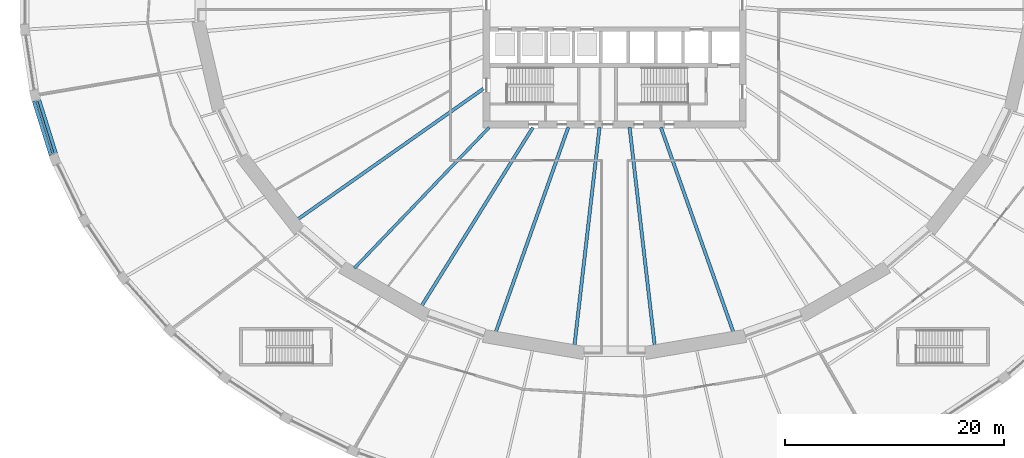
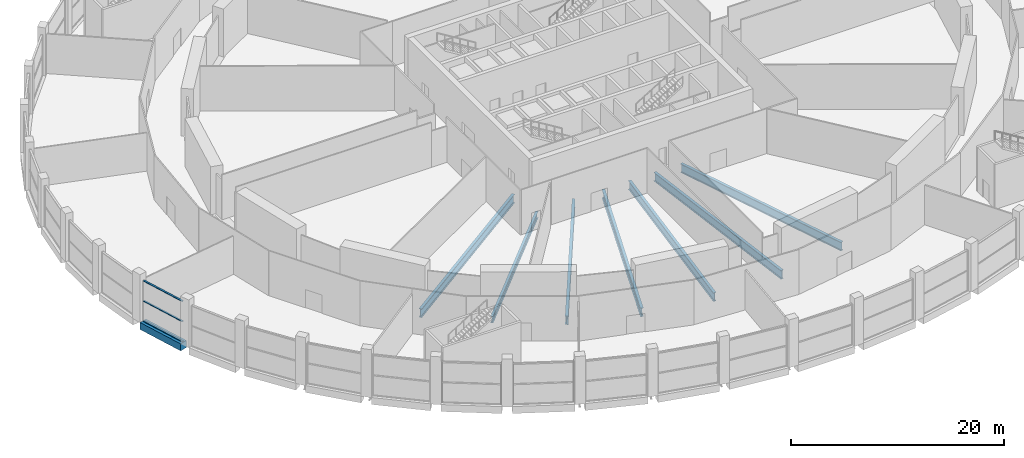
# One storey, part 4 of 29: 8 beams, 3 members, 1 element without a shape of its own.
"""IFC4 building model written with IfcOpenShell, lengths in metres."""

from ifc_helpers import new_model, si_unit, direction, frame, origin, origin_2d, place, context, subcontext, project, spatial, rectangle, i_section, extrude, material, material_profile, profile_set, type_object, element, aggregate, save


model = new_model("IFC4")

# Units and contexts
model_context = context("Model", 3, precision=1e-05, world=origin(), true_north=direction((0.0, 1.0)))
body_context = subcontext(model_context, "Body", "Model", "MODEL_VIEW")
ifc_project = project(units=[si_unit("LENGTHUNIT", "METRE"), si_unit("AREAUNIT", "SQUARE_METRE"), si_unit("VOLUMEUNIT", "CUBIC_METRE"), si_unit("PLANEANGLEUNIT", "RADIAN"), si_unit("MASSUNIT", "GRAM", prefix="KILO")], contexts=[model_context])

# Site, building, storey
site_placement = place(None, origin())
site = spatial("IfcSite", under=ifc_project, at=site_placement, CompositionType="ELEMENT")
building_placement = place(site_placement, origin())
building = spatial("IfcBuilding", under=site, at=building_placement, Name="Halqa Exchange Tower", CompositionType="ELEMENT")
storey_placement = place(building_placement, frame((0.0, 0.0, 7.0)))
storey = spatial("IfcBuildingStorey", under=building, at=storey_placement, Name="L01", CompositionType="ELEMENT", Elevation=7.0)

# Curtain wall, members
ifc_material_1 = material(Name="Anodised aluminium and clear glass", Category="aluminium")
curtain_wall_type = type_object("IfcCurtainWallType", Name="Exchange hall glazing", PredefinedType="NOTDEFINED", material=ifc_material_1)
curtain_wall_placement = place(storey_placement, origin())
curtain_wall = element("IfcCurtainWall", 1, at=curtain_wall_placement, inside=storey, type_object=curtain_wall_type, Name="Exchange hall glazing run P26", PredefinedType="NOTDEFINED")
ifc_material_2 = material(Name="Anodised aluminium", Category="aluminium")
ifc_material_profile_1 = material_profile(ifc_material_2, rectangle(XDim=0.199951171875, YDim=0.070068359375, at=origin_2d()), Name="AL 70x200")
ifc_profile_set_1 = profile_set([ifc_material_profile_1], Name="Anodised aluminium")
member_type = type_object("IfcMemberType", Name="Exchange hall glazing transom 70 x 200", PredefinedType="USERDEFINED", material=ifc_profile_set_1)
member_1_placement = place(storey_placement, frame((-52.79248046875, -9.57666015625, 0.034912109375), z_axis=(0.298305642444, -0.954470399586, 0.0), x_axis=(0.954470399586, 0.298305642444, 0.0)))
member_1 = element("IfcMember", 2, at=member_1_placement, type_object=member_type, Name="P26 transom 1.1", ObjectType="TRANSOM", PredefinedType="USERDEFINED", context=body_context, shape_type="SweptSolid", body=[
    extrude(rectangle(XDim=0.199951171875, YDim=0.070068359375, at=origin_2d()), origin(), (0.0, 0.0, 1.0), 4.989013671875),
])
member_2_placement = place(storey_placement, frame((-52.79248046875, -9.57666015625, 2.35009765625), z_axis=(0.298305642444, -0.954470399586, 0.0), x_axis=(0.954470399586, 0.298305642444, 0.0)))
member_2 = element("IfcMember", 3, at=member_2_placement, type_object=member_type, Name="P26 transom 1.2", ObjectType="TRANSOM", PredefinedType="USERDEFINED", context=body_context, shape_type="SweptSolid", body=[
    extrude(rectangle(XDim=0.199951171875, YDim=0.070068359375, at=origin_2d()), origin(), (0.0, 0.0, 1.0), 4.989013671875),
])
member_3_placement = place(storey_placement, frame((-52.79248046875, -9.57666015625, 4.6650390625), z_axis=(0.298305642444, -0.954470399586, 0.0), x_axis=(0.954470399586, 0.298305642444, 0.0)))
member_3 = element("IfcMember", 4, at=member_3_placement, type_object=member_type, Name="P26 transom 1.3", ObjectType="TRANSOM", PredefinedType="USERDEFINED", context=body_context, shape_type="SweptSolid", body=[
    extrude(rectangle(XDim=0.199951171875, YDim=0.070068359375, at=origin_2d()), origin(), (0.0, 0.0, 1.0), 4.989013671875),
])
aggregate(curtain_wall, [member_1, member_2, member_3])

# Beams
ifc_material_3 = material(Name="Steel S355", Category="steel")
ifc_material_profile_2 = material_profile(ifc_material_3, i_section(OverallWidth=0.300048828125, OverallDepth=0.989990234375, WebThickness=0.0166015625, FlangeThickness=0.031005859375, FilletRadius=0.030029296875, at=origin_2d()), Name="HEA 1000")
ifc_profile_set_2 = profile_set([ifc_material_profile_2], Name="Steel S355")
beam_type_1 = type_object("IfcBeamType", Name="Floor beam HEA 1000", PredefinedType="BEAM", material=ifc_profile_set_2)
beam_1_placement = place(storey_placement, frame((-7.46533203125, -11.971435546875, -0.844970703125), z_axis=(-0.529145823441, -0.848530905468, 0.0), x_axis=(0.848530905468, -0.529145823441, 0.0)))
element("IfcBeam", 5, at=beam_1_placement, inside=storey, type_object=beam_type_1, Name="Radial beam 22", PredefinedType="BEAM", context=body_context, shape_type="SweptSolid", body=[
    extrude(i_section(OverallWidth=0.300048828125, OverallDepth=0.989990234375, WebThickness=0.0166015625, FlangeThickness=0.031005859375, FilletRadius=0.030029296875, at=origin_2d()), origin(), (0.0, 0.0, 1.0), 19.27294921875),
])
ifc_material_profile_3 = material_profile(ifc_material_3, i_section(OverallWidth=0.300048828125, OverallDepth=1.0, WebThickness=0.01904296875, FlangeThickness=0.035888671875, FilletRadius=0.030029296875, at=origin_2d()), Name="HEB 1000")
ifc_profile_set_3 = profile_set([ifc_material_profile_3], Name="Steel S355")
beam_type_2 = type_object("IfcBeamType", Name="Floor beam HEB 1000", PredefinedType="BEAM", material=ifc_profile_set_3)
beam_2_placement = place(storey_placement, frame((-11.972412109375, -8.421875, -0.85009765625), z_axis=(-0.817909911418, -0.575346310325, 0.0), x_axis=(0.575346310325, -0.817909911418, 0.0)))
element("IfcBeam", 6, at=beam_2_placement, inside=storey, type_object=beam_type_2, Name="Radial beam 20", PredefinedType="BEAM", context=body_context, shape_type="SweptSolid", body=[
    extrude(i_section(OverallWidth=0.300048828125, OverallDepth=1.0, WebThickness=0.01904296875, FlangeThickness=0.035888671875, FilletRadius=0.030029296875, at=origin_2d()), origin(), (0.0, 0.0, 1.0), 20.804443359375),
])
beam_3_placement = place(storey_placement, frame((-4.23681640625, -11.971923828125, -0.85009765625), z_axis=(-0.333633039334, -0.942703025913, 0.0), x_axis=(0.942703025913, -0.333633039334, 0.0)))
element("IfcBeam", 7, at=beam_3_placement, inside=storey, type_object=beam_type_2, Name="Radial beam 23", PredefinedType="BEAM", context=body_context, shape_type="SweptSolid", body=[
    extrude(i_section(OverallWidth=0.300048828125, OverallDepth=1.0, WebThickness=0.01904296875, FlangeThickness=0.035888671875, FilletRadius=0.030029296875, at=origin_2d()), origin(), (0.0, 0.0, 1.0), 19.885009765625),
])
for number, where, z_axis, x_axis, name in (
    (8, (-1.375732421875, -11.972900390625, -0.85009765625), (-0.114166838833, -0.99346159106, 0.0), (0.99346159106, -0.114166838833, 0.0), "Radial beam 24"),
    (9, (1.375732421875, -11.972900390625, -0.85009765625), (0.114166838833, -0.99346159106, 0.0), (0.99346159106, 0.114166838833, 0.0), "Radial beam 25"),
):
    element("IfcBeam", number, at=place(storey_placement, frame(where, z_axis=z_axis, x_axis=x_axis)), inside=storey, type_object=beam_type_2, Name=name, PredefinedType="BEAM", context=body_context, shape_type="SweptSolid", body=[
        extrude(i_section(OverallWidth=0.300048828125, OverallDepth=1.0, WebThickness=0.01904296875, FlangeThickness=0.035888671875, FilletRadius=0.030029296875, at=origin_2d()), origin(), (0.0, 0.0, 1.0), 20.103515625),
    ])
beam_4_placement = place(storey_placement, frame((4.23681640625, -11.971923828125, -0.85009765625), z_axis=(0.333633039334, -0.942703025913, 0.0), x_axis=(0.942703025913, 0.333633039334, 0.0)))
element("IfcBeam", 10, at=beam_4_placement, inside=storey, type_object=beam_type_2, Name="Radial beam 26", PredefinedType="BEAM", context=body_context, shape_type="SweptSolid", body=[
    extrude(i_section(OverallWidth=0.300048828125, OverallDepth=1.0, WebThickness=0.01904296875, FlangeThickness=0.035888671875, FilletRadius=0.030029296875, at=origin_2d()), origin(), (0.0, 0.0, 1.0), 19.885009765625),
])
ifc_material_profile_4 = material_profile(ifc_material_3, i_section(OverallWidth=0.26806640625, OverallDepth=0.77001953125, WebThickness=0.015625, FlangeThickness=0.025390625, FilletRadius=0.01708984375, at=origin_2d()), Name="IPE 750x196")
ifc_profile_set_4 = profile_set([ifc_material_profile_4], Name="Steel S355")
beam_type_3 = type_object("IfcBeamType", Name="Floor beam IPE 750x196", PredefinedType="BEAM", material=ifc_profile_set_4)
beam_5_placement = place(storey_placement, frame((-11.46240234375, -11.9716796875, -0.735107421875), z_axis=(-0.6915763718, -0.722303344841, 0.0), x_axis=(0.722303344841, -0.6915763718, 0.0)))
element("IfcBeam", 11, at=beam_5_placement, inside=storey, type_object=beam_type_3, Name="Radial beam 21", PredefinedType="BEAM", context=body_context, shape_type="SweptSolid", body=[
    extrude(i_section(OverallWidth=0.26806640625, OverallDepth=0.77001953125, WebThickness=0.015625, FlangeThickness=0.025390625, FilletRadius=0.01708984375, at=origin_2d()), origin(), (0.0, 0.0, 1.0), 17.7978515625),
])
ifc_material_4 = material(Name="Concrete C60/75", Category="concrete")
ifc_material_profile_5 = material_profile(ifc_material_4, rectangle(XDim=0.800048828125, YDim=0.800048828125, at=origin_2d()), Name="800 x 800")
ifc_profile_set_5 = profile_set([ifc_material_profile_5], Name="Concrete C60/75")
beam_type_4 = type_object("IfcBeamType", Name="RC podium edge beam 800 x 800 C60/75", PredefinedType="SPANDREL", material=ifc_profile_set_5)
beam_6_placement = place(storey_placement, frame((-52.821044921875, -9.4853515625, -0.39990234375), z_axis=(0.298331338153, -0.954462368392, 0.0), x_axis=(0.954462368392, 0.298331338153, 0.0)))
element("IfcBeam", 12, at=beam_6_placement, inside=storey, type_object=beam_type_4, Name="Podium edge beam 26", PredefinedType="SPANDREL", context=body_context, shape_type="SweptSolid", body=[
    extrude(rectangle(XDim=0.800048828125, YDim=0.800048828125, at=origin_2d()), origin(), (0.0, 0.0, 1.0), 5.180908203125),
])

save(model, "model.ifc")
